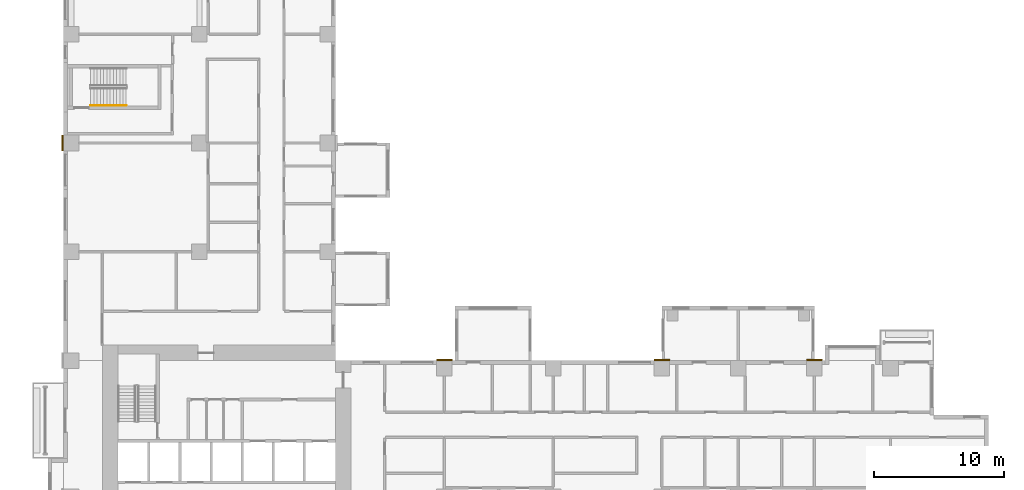
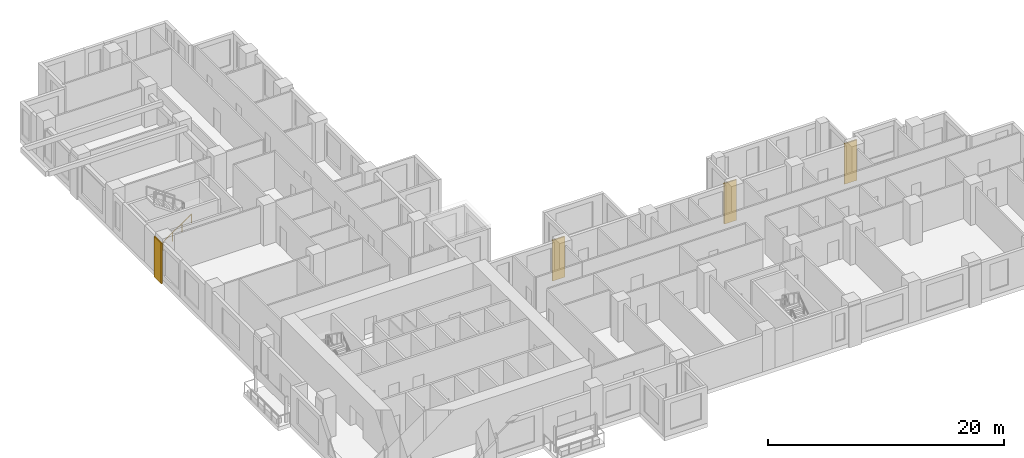
# One storey, part 13 of 15: 4 coverings, 1 railing.
"""IFC4 building model written with IfcOpenShell, lengths in metres."""

from ifc_helpers import new_model, si_unit, direction, frame, origin, origin_2d, place, context, subcontext, project, spatial, rectangle, circle, extrude, source, transform, mapped, material, type_object, element, save


model = new_model("IFC4")

# Units and contexts
model_context = context("Model", 3, precision=1e-05, world=origin(), true_north=direction((0.0, 1.0)))
body_context = subcontext(model_context, "Body", "Model", "MODEL_VIEW")
ifc_project = project(units=[si_unit("LENGTHUNIT", "METRE"), si_unit("AREAUNIT", "SQUARE_METRE"), si_unit("VOLUMEUNIT", "CUBIC_METRE"), si_unit("PLANEANGLEUNIT", "RADIAN"), si_unit("MASSUNIT", "GRAM", prefix="KILO")], contexts=[model_context])

# Site, building, storey
site_placement = place(None, origin())
site = spatial("IfcSite", under=ifc_project, at=site_placement, CompositionType="ELEMENT")
building_placement = place(site_placement, origin())
building = spatial("IfcBuilding", under=site, at=building_placement, Name="Aurelian Terraces", CompositionType="ELEMENT")
storey_placement = place(building_placement, frame((0.0, 0.0, 65.7)))
storey = spatial("IfcBuildingStorey", under=building, at=storey_placement, Name="L13", CompositionType="ELEMENT", Elevation=65.7)

# Coverings
ifc_material_1 = material(Name="Terracotta rainscreen cladding relief", Category="masonry")
covering_type = type_object("IfcCoveringType", Name="BAGUETTE-TC", PredefinedType="CLADDING", material=ifc_material_1)
shared_shape_1 = source(origin(), body_context, "Body", "SweptSolid", [
    extrude(rectangle(XDim=1.2, YDim=0.12, at=origin_2d()), origin(), (0.0, 0.0, 1.0), 4.2),
])
for number, where, z_axis, x_axis, name in (
    (1, (29.4, 21.06, -0.4), (0.0, 0.0, 1.0), (1.0, 0.0, 0.0), "BAGUETTE pier L13 6"),
    (2, (46.2, 21.06, -0.4), (0.0, 0.0, 1.0), (1.0, 0.0, 0.0), "BAGUETTE pier L13 7"),
    (3, (57.96, 21.06, -0.4), (0.0, 0.0, 1.0), (1.0, 0.0, 0.0), "BAGUETTE pier L13 8"),
):
    element("IfcCovering", number, at=place(storey_placement, frame(where, z_axis=z_axis, x_axis=x_axis)), inside=storey, type_object=covering_type, Name=name, PredefinedType="CLADDING", context=body_context, shape_type="MappedRepresentation", body=[
        mapped(shared_shape_1, transform((0.0, 0.0, 0.0), scale=1.0)),
    ])
shared_shape_2 = source(origin(), body_context, "Body", "SweptSolid", [
    extrude(rectangle(XDim=0.12, YDim=1.2, at=origin_2d()), origin(), (0.0, 0.0, 1.0), 4.2),
])
covering_placement = place(storey_placement, frame((-0.06, 37.8, -0.4), z_axis=(0.0, 0.0, 1.0), x_axis=(1.0, 0.0, 0.0)))
element("IfcCovering", 4, at=covering_placement, inside=storey, type_object=covering_type, Name="BAGUETTE pier L13 10", PredefinedType="CLADDING", context=body_context, shape_type="MappedRepresentation", body=[
    mapped(shared_shape_2, transform((0.0, 0.0, 0.0), scale=1.0)),
])

# Railing
ifc_material_2 = material(Name="Stainless steel", Category="steel")
railing_type = type_object("IfcRailingType", Name="Stair handrail", PredefinedType="HANDRAIL", material=ifc_material_2)
shared_shape_3 = source(origin(), body_context, "Body", "SweptSolid", [
    extrude(circle(Radius=0.024, at=origin_2d()), frame((0.0, 0.0, 0.876), z_axis=(0.819231920519, 0.0, 0.573462344363), x_axis=(0.0, 1.0, 0.0)), (0.0, 0.0, 1.0), 3.3568),
    extrude(circle(Radius=0.021, at=origin_2d()), origin(), (0.0, 0.0, 1.0), 0.852),
    extrude(circle(Radius=0.021, at=origin_2d()), frame((0.9167, 0.0, 0.6417)), (0.0, 0.0, 1.0), 0.852),
    extrude(circle(Radius=0.021, at=origin_2d()), frame((1.8333, 0.0, 1.2833)), (0.0, 0.0, 1.0), 0.852),
    extrude(circle(Radius=0.021, at=origin_2d()), frame((2.75, 0.0, 1.925)), (0.0, 0.0, 1.0), 0.852),
])
railing_placement = place(storey_placement, frame((2.1, 40.7, 0.175)))
element("IfcRailing", 5, at=railing_placement, inside=storey, type_object=railing_type, Name="L13 S3 stair handrail 1", PredefinedType="HANDRAIL", context=body_context, shape_type="MappedRepresentation", body=[
    mapped(shared_shape_3, transform((0.0, 0.0, 0.0), scale=1.0)),
])

save(model, "model.ifc")
